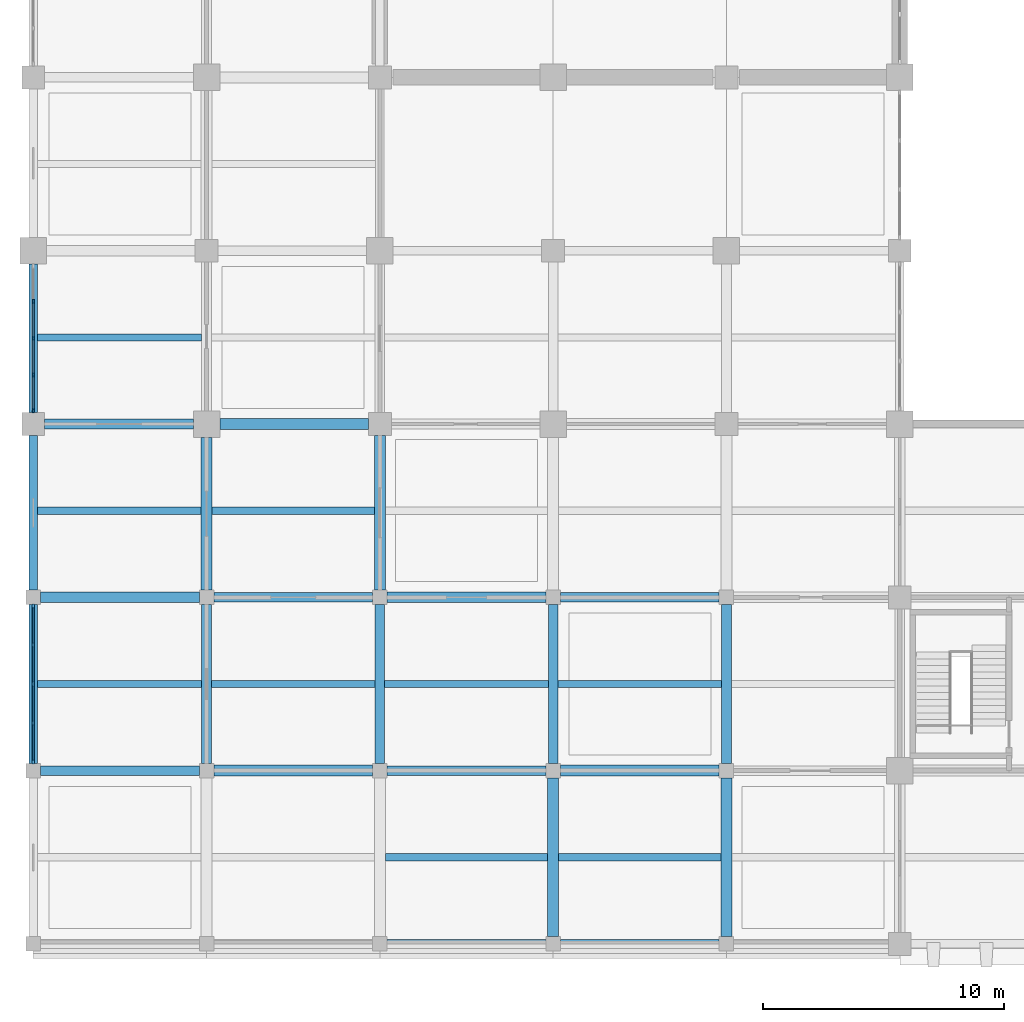
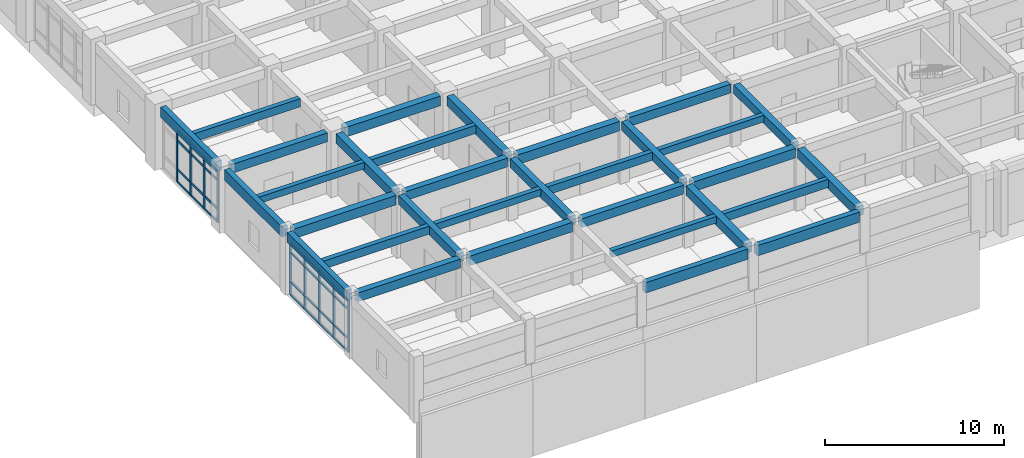
# One storey, part 2 of 81: 37 members, 32 beams, 2 elements without a shape of their own.
"""IFC4 building model written with IfcOpenShell, lengths in metres."""

from ifc_helpers import new_model, si_unit, direction, frame, origin, origin_2d, place, context, subcontext, project, spatial, rectangle, extrude, material, layer, layer_set, material_profile, profile_set, type_object, element, aggregate, save


model = new_model("IFC4")

# Units and contexts
model_context = context("Model", 3, precision=1e-05, world=origin(), true_north=direction((0.0, 1.0)))
body_context = subcontext(model_context, "Body", "Model", "MODEL_VIEW")
ifc_project = project(units=[si_unit("LENGTHUNIT", "METRE"), si_unit("AREAUNIT", "SQUARE_METRE"), si_unit("VOLUMEUNIT", "CUBIC_METRE"), si_unit("PLANEANGLEUNIT", "RADIAN"), si_unit("MASSUNIT", "GRAM", prefix="KILO")], contexts=[model_context])

# Site, building, storey
site_placement = place(None, origin())
site = spatial("IfcSite", under=ifc_project, at=site_placement, CompositionType="ELEMENT")
building_placement = place(site_placement, origin())
building = spatial("IfcBuilding", under=site, at=building_placement, Name="Kavelor Marine Aquarium", CompositionType="ELEMENT")
storey_placement = place(building_placement, frame((0.0, 0.0, 4.679931640625)))
storey = spatial("IfcBuildingStorey", under=building, at=storey_placement, Name="L01", CompositionType="ELEMENT", Elevation=4.679931640625)

# Beams
ifc_material_1 = material(Name="Concrete C40/50", Category="concrete")
ifc_material_profile_1 = material_profile(ifc_material_1, rectangle(XDim=0.449951171875, YDim=0.64990234375, at=origin_2d()), Name="RC-BM 450x650")
ifc_profile_set_1 = profile_set([ifc_material_profile_1], Name="Concrete C40/50")
beam_type_1 = type_object("IfcBeamType", Name="BM-B3", PredefinedType="BEAM", material=ifc_profile_set_1)
for number, where, z_axis, x_axis, name in (
    (1, (3.5, 17.199951171875, 3.93505859375), (1.0, 0.0, 0.0), (0.0, 1.0, 0.0), "bm:x:L01:L02:00_02"),
    (2, (10.699951171875, 10.0, 3.93505859375), (1.0, 0.0, 0.0), (0.0, 1.0, 0.0), "bm:x:L01:L02:01_01"),
):
    element("IfcBeam", number, at=place(storey_placement, frame(where, z_axis=z_axis, x_axis=x_axis)), inside=storey, type_object=beam_type_1, Name=name, PredefinedType="BEAM", context=body_context, shape_type="SweptSolid", body=[
        extrude(rectangle(XDim=0.449951171875, YDim=0.64990234375, at=origin_2d()), origin(), (0.0, 0.0, 1.0), 6.60009765625),
    ])
beam_1_placement = place(storey_placement, frame((10.949951171875, 24.39990234375, 3.875), z_axis=(1.0, 0.0, 0.0), x_axis=(0.0, 1.0, 0.0)))
element("IfcBeam", 3, at=beam_1_placement, inside=storey, type_object=beam_type_1, Name="bm:x:L01:L02:01_03", PredefinedType="BEAM", context=body_context, shape_type="SweptSolid", body=[
    extrude(rectangle(XDim=0.449951171875, YDim=0.64990234375, at=origin_2d()), origin(), (0.0, 0.0, 1.0), 6.175048828125),
])
beam_2_placement = place(storey_placement, frame((17.89990234375, 17.199951171875, 3.93505859375), z_axis=(1.0, 0.0, 0.0), x_axis=(0.0, 1.0, 0.0)))
element("IfcBeam", 4, at=beam_2_placement, inside=storey, type_object=beam_type_1, Name="bm:x:L01:L02:02_02", PredefinedType="BEAM", context=body_context, shape_type="SweptSolid", body=[
    extrude(rectangle(XDim=0.449951171875, YDim=0.64990234375, at=origin_2d()), origin(), (0.0, 0.0, 1.0), 6.60009765625),
])
beam_3_placement = place(storey_placement, frame((25.10009765625, 10.0, 3.93505859375), z_axis=(1.0, 0.0, 0.0), x_axis=(0.0, 1.0, 0.0)))
element("IfcBeam", 5, at=beam_3_placement, inside=storey, type_object=beam_type_1, Name="bm:x:L01:L02:03_01", PredefinedType="BEAM", context=body_context, shape_type="SweptSolid", body=[
    extrude(rectangle(XDim=0.449951171875, YDim=0.64990234375, at=origin_2d()), origin(), (0.0, 0.0, 1.0), 6.599853515625),
])
beam_4_placement = place(storey_placement, frame((10.39990234375, 17.5, 3.93505859375), z_axis=(0.0, 1.0, 0.0), x_axis=(-1.0, 0.0, 0.0)))
element("IfcBeam", 6, at=beam_4_placement, inside=storey, type_object=beam_type_1, Name="bm:y:L01:L02:01_02", PredefinedType="BEAM", context=body_context, shape_type="SweptSolid", body=[
    extrude(rectangle(XDim=0.449951171875, YDim=0.64990234375, at=origin_2d()), origin(), (0.0, 0.0, 1.0), 6.35009765625),
])
beam_5_placement = place(storey_placement, frame((17.60009765625, 17.5, 3.93505859375), z_axis=(0.0, 1.0, 0.0), x_axis=(-1.0, 0.0, 0.0)))
element("IfcBeam", 7, at=beam_5_placement, inside=storey, type_object=beam_type_1, Name="bm:y:L01:L02:02_02", PredefinedType="BEAM", context=body_context, shape_type="SweptSolid", body=[
    extrude(rectangle(XDim=0.449951171875, YDim=0.64990234375, at=origin_2d()), origin(), (0.0, 0.0, 1.0), 6.425048828125),
])
for number, where, z_axis, x_axis, name in (
    (8, (24.800048828125, 3.10009765625, 3.93505859375), (0.0, 1.0, 0.0), (-1.0, 0.0, 0.0), "bm:y:L01:L02:03_00"),
    (9, (32.0, 3.10009765625, 3.93505859375), (0.0, 1.0, 0.0), (-1.0, 0.0, 0.0), "bm:y:L01:L02:04_00"),
):
    element("IfcBeam", number, at=place(storey_placement, frame(where, z_axis=z_axis, x_axis=x_axis)), inside=storey, type_object=beam_type_1, Name=name, PredefinedType="BEAM", context=body_context, shape_type="SweptSolid", body=[
        extrude(rectangle(XDim=0.449951171875, YDim=0.64990234375, at=origin_2d()), origin(), (0.0, 0.0, 1.0), 6.599853515625),
    ])
ifc_material_2 = material(Name="Concrete C40/50", Category="concrete")
ifc_material_profile_2 = material_profile(ifc_material_2, rectangle(XDim=0.39990234375, YDim=0.60009765625, at=origin_2d()), Name="RC-BM 400x600")
ifc_profile_set_2 = profile_set([ifc_material_profile_2], Name="Concrete C40/50")
beam_type_2 = type_object("IfcBeamType", Name="BM-B4", PredefinedType="BEAM", material=ifc_profile_set_2)
beam_6_placement = place(storey_placement, frame((3.5, 10.0, 3.9599609375), z_axis=(1.0, 0.0, 0.0), x_axis=(0.0, 1.0, 0.0)))
element("IfcBeam", 10, at=beam_6_placement, inside=storey, type_object=beam_type_2, Name="bm:x:L01:L02:00_01", PredefinedType="BEAM", context=body_context, shape_type="SweptSolid", body=[
    extrude(rectangle(XDim=0.39990234375, YDim=0.60009765625, at=origin_2d()), origin(), (0.0, 0.0, 1.0), 6.60009765625),
])
beam_7_placement = place(storey_placement, frame((3.675048828125, 24.39990234375, 3.920166015625), z_axis=(1.0, 0.0, 0.0), x_axis=(0.0, 1.0, 0.0)))
element("IfcBeam", 11, at=beam_7_placement, inside=storey, type_object=beam_type_2, Name="bm:x:L01:L02:00_03", PredefinedType="BEAM", context=body_context, shape_type="SweptSolid", body=[
    extrude(rectangle(XDim=0.39990234375, YDim=0.60009765625, at=origin_2d()), origin(), (0.0, 0.0, 1.0), 6.175048828125),
])
for number, where, z_axis, x_axis, name in (
    (12, (10.699951171875, 17.199951171875, 3.9599609375), (1.0, 0.0, 0.0), (0.0, 1.0, 0.0), "bm:x:L01:L02:01_02"),
    (13, (17.89990234375, 10.0, 3.9599609375), (1.0, 0.0, 0.0), (0.0, 1.0, 0.0), "bm:x:L01:L02:02_01"),
):
    element("IfcBeam", number, at=place(storey_placement, frame(where, z_axis=z_axis, x_axis=x_axis)), inside=storey, type_object=beam_type_2, Name=name, PredefinedType="BEAM", context=body_context, shape_type="SweptSolid", body=[
        extrude(rectangle(XDim=0.39990234375, YDim=0.60009765625, at=origin_2d()), origin(), (0.0, 0.0, 1.0), 6.60009765625),
    ])
for number, where, z_axis, x_axis, name in (
    (14, (25.10009765625, 17.199951171875, 3.9599609375), (1.0, 0.0, 0.0), (0.0, 1.0, 0.0), "bm:x:L01:L02:03_02"),
    (15, (10.39990234375, 10.300048828125, 3.9599609375), (0.0, 1.0, 0.0), (-1.0, 0.0, 0.0), "bm:y:L01:L02:01_01"),
    (16, (17.60009765625, 10.300048828125, 3.9599609375), (0.0, 1.0, 0.0), (-1.0, 0.0, 0.0), "bm:y:L01:L02:02_01"),
    (17, (24.800048828125, 10.300048828125, 3.9599609375), (0.0, 1.0, 0.0), (-1.0, 0.0, 0.0), "bm:y:L01:L02:03_01"),
    (18, (32.0, 10.300048828125, 3.9599609375), (0.0, 1.0, 0.0), (-1.0, 0.0, 0.0), "bm:y:L01:L02:04_01"),
):
    element("IfcBeam", number, at=place(storey_placement, frame(where, z_axis=z_axis, x_axis=x_axis)), inside=storey, type_object=beam_type_2, Name=name, PredefinedType="BEAM", context=body_context, shape_type="SweptSolid", body=[
        extrude(rectangle(XDim=0.39990234375, YDim=0.60009765625, at=origin_2d()), origin(), (0.0, 0.0, 1.0), 6.599853515625),
    ])
ifc_material_3 = material(Name="Concrete C40/50", Category="concrete")
ifc_material_profile_3 = material_profile(ifc_material_3, rectangle(XDim=0.300048828125, YDim=0.449951171875, at=origin_2d()), Name="RC-JS 300x450")
ifc_profile_set_3 = profile_set([ifc_material_profile_3], Name="Concrete C40/50")
beam_type_3 = type_object("IfcBeamType", Name="BM-JS1", PredefinedType="JOIST", material=ifc_profile_set_3)
beam_8_placement = place(storey_placement, frame((3.375, 20.800048828125, 4.03515625), z_axis=(1.0, 0.0, 0.0), x_axis=(0.0, 1.0, 0.0)))
element("IfcBeam", 19, at=beam_8_placement, inside=storey, type_object=beam_type_3, Name="js:L01:L02:00_02", PredefinedType="JOIST", context=body_context, shape_type="SweptSolid", body=[
    extrude(rectangle(XDim=0.300048828125, YDim=0.449951171875, at=origin_2d()), origin(), (0.0, 0.0, 1.0), 6.800048828125),
])
beam_9_placement = place(storey_placement, frame((10.60009765625, 13.60009765625, 4.03515625), z_axis=(1.0, 0.0, 0.0), x_axis=(0.0, 1.0, 0.0)))
element("IfcBeam", 20, at=beam_9_placement, inside=storey, type_object=beam_type_3, Name="js:L01:L02:01_01", PredefinedType="JOIST", context=body_context, shape_type="SweptSolid", body=[
    extrude(rectangle(XDim=0.300048828125, YDim=0.449951171875, at=origin_2d()), origin(), (0.0, 0.0, 1.0), 6.7998046875),
])
beam_10_placement = place(storey_placement, frame((17.824951171875, 6.39990234375, 4.03515625), z_axis=(1.0, 0.0, 0.0), x_axis=(0.0, 1.0, 0.0)))
element("IfcBeam", 21, at=beam_10_placement, inside=storey, type_object=beam_type_3, Name="js:L01:L02:02_00", PredefinedType="JOIST", context=body_context, shape_type="SweptSolid", body=[
    extrude(rectangle(XDim=0.300048828125, YDim=0.449951171875, at=origin_2d()), origin(), (0.0, 0.0, 1.0), 6.75),
])
beam_11_placement = place(storey_placement, frame((25.0, 13.60009765625, 4.03515625), z_axis=(1.0, 0.0, 0.0), x_axis=(0.0, 1.0, 0.0)))
element("IfcBeam", 22, at=beam_11_placement, inside=storey, type_object=beam_type_3, Name="js:L01:L02:03_01", PredefinedType="JOIST", context=body_context, shape_type="SweptSolid", body=[
    extrude(rectangle(XDim=0.300048828125, YDim=0.449951171875, at=origin_2d()), origin(), (0.0, 0.0, 1.0), 6.800048828125),
])
ifc_material_4 = material(Name="Concrete C40/50", Category="concrete")
ifc_material_profile_4 = material_profile(ifc_material_4, rectangle(XDim=0.300048828125, YDim=0.550048828125, at=origin_2d()), Name="RC-JS 300x550")
ifc_profile_set_4 = profile_set([ifc_material_profile_4], Name="Concrete C40/50")
beam_type_4 = type_object("IfcBeamType", Name="BM-JS2", PredefinedType="JOIST", material=ifc_profile_set_4)
for number, where, z_axis, x_axis, name in (
    (23, (3.375, 13.60009765625, 3.985107421875), (1.0, 0.0, 0.0), (0.0, 1.0, 0.0), "js:L01:L02:00_01"),
    (24, (3.375, 28.0, 3.945068359375), (1.0, 0.0, 0.0), (0.0, 1.0, 0.0), "js:L01:L02:00_03"),
):
    element("IfcBeam", number, at=place(storey_placement, frame(where, z_axis=z_axis, x_axis=x_axis)), inside=storey, type_object=beam_type_4, Name=name, PredefinedType="JOIST", context=body_context, shape_type="SweptSolid", body=[
        extrude(rectangle(XDim=0.300048828125, YDim=0.550048828125, at=origin_2d()), origin(), (0.0, 0.0, 1.0), 6.824951171875),
    ])
beam_12_placement = place(storey_placement, frame((10.625, 20.800048828125, 3.985107421875), z_axis=(1.0, 0.0, 0.0), x_axis=(0.0, 1.0, 0.0)))
element("IfcBeam", 25, at=beam_12_placement, inside=storey, type_object=beam_type_4, Name="js:L01:L02:01_02", PredefinedType="JOIST", context=body_context, shape_type="SweptSolid", body=[
    extrude(rectangle(XDim=0.300048828125, YDim=0.550048828125, at=origin_2d()), origin(), (0.0, 0.0, 1.0), 6.75),
])
beam_13_placement = place(storey_placement, frame((17.800048828125, 13.60009765625, 3.985107421875), z_axis=(1.0, 0.0, 0.0), x_axis=(0.0, 1.0, 0.0)))
element("IfcBeam", 26, at=beam_13_placement, inside=storey, type_object=beam_type_4, Name="js:L01:L02:02_01", PredefinedType="JOIST", context=body_context, shape_type="SweptSolid", body=[
    extrude(rectangle(XDim=0.300048828125, YDim=0.550048828125, at=origin_2d()), origin(), (0.0, 0.0, 1.0), 6.800048828125),
])
beam_14_placement = place(storey_placement, frame((25.02490234375, 6.39990234375, 3.985107421875), z_axis=(1.0, 0.0, 0.0), x_axis=(0.0, 1.0, 0.0)))
element("IfcBeam", 27, at=beam_14_placement, inside=storey, type_object=beam_type_4, Name="js:L01:L02:03_00", PredefinedType="JOIST", context=body_context, shape_type="SweptSolid", body=[
    extrude(rectangle(XDim=0.300048828125, YDim=0.550048828125, at=origin_2d()), origin(), (0.0, 0.0, 1.0), 6.75),
])
ifc_material_5 = material(Name="Concrete C40/50", Category="concrete")
ifc_material_profile_5 = material_profile(ifc_material_5, rectangle(XDim=0.35009765625, YDim=0.699951171875, at=origin_2d()), Name="RC-SP 350x700")
ifc_profile_set_5 = profile_set([ifc_material_profile_5], Name="Concrete C40/50")
beam_type_5 = type_object("IfcBeamType", Name="BM-SP1", PredefinedType="SPANDREL", material=ifc_profile_set_5)
beam_15_placement = place(storey_placement, frame((17.89990234375, 2.800048828125, 3.91015625), z_axis=(1.0, 0.0, 0.0), x_axis=(0.0, 1.0, 0.0)))
element("IfcBeam", 28, at=beam_15_placement, inside=storey, type_object=beam_type_5, Name="bm:x:L01:L02:02_00", PredefinedType="SPANDREL", context=body_context, shape_type="SweptSolid", body=[
    extrude(rectangle(XDim=0.35009765625, YDim=0.699951171875, at=origin_2d()), origin(), (0.0, 0.0, 1.0), 6.60009765625),
])
for number, where, z_axis, x_axis, name in (
    (29, (25.10009765625, 2.800048828125, 3.91015625), (1.0, 0.0, 0.0), (0.0, 1.0, 0.0), "bm:x:L01:L02:03_00"),
    (30, (3.199951171875, 10.300048828125, 3.91015625), (0.0, 1.0, 0.0), (-1.0, 0.0, 0.0), "bm:y:L01:L02:00_01"),
):
    element("IfcBeam", number, at=place(storey_placement, frame(where, z_axis=z_axis, x_axis=x_axis)), inside=storey, type_object=beam_type_5, Name=name, PredefinedType="SPANDREL", context=body_context, shape_type="SweptSolid", body=[
        extrude(rectangle(XDim=0.35009765625, YDim=0.699951171875, at=origin_2d()), origin(), (0.0, 0.0, 1.0), 6.599853515625),
    ])
beam_16_placement = place(storey_placement, frame((3.199951171875, 17.5, 3.91015625), z_axis=(0.0, 1.0, 0.0), x_axis=(-1.0, 0.0, 0.0)))
element("IfcBeam", 31, at=beam_16_placement, inside=storey, type_object=beam_type_5, Name="bm:y:L01:L02:00_02", PredefinedType="SPANDREL", context=body_context, shape_type="SweptSolid", body=[
    extrude(rectangle(XDim=0.35009765625, YDim=0.699951171875, at=origin_2d()), origin(), (0.0, 0.0, 1.0), 6.425048828125),
])
beam_17_placement = place(storey_placement, frame((3.199951171875, 24.875, 3.8701171875), z_axis=(0.0, 1.0, 0.0), x_axis=(-1.0, 0.0, 0.0)))
element("IfcBeam", 32, at=beam_17_placement, inside=storey, type_object=beam_type_5, Name="bm:y:L01:L02:00_03", PredefinedType="SPANDREL", context=body_context, shape_type="SweptSolid", body=[
    extrude(rectangle(XDim=0.35009765625, YDim=0.699951171875, at=origin_2d()), origin(), (0.0, 0.0, 1.0), 6.175048828125),
])

# Curtain wall, members
ifc_material_6 = material(Name="Thermally Broken Aluminium and Low-E Glass", Category="aluminium")
ifc_layer_1 = layer(ifc_material_6, 0.243896484375)
ifc_layer_set_1 = layer_set([ifc_layer_1], Name="CW-SYS13")
curtain_wall_type_1 = type_object("IfcCurtainWallType", Name="CW-SYS13", PredefinedType="USERDEFINED", material=ifc_layer_set_1)
curtain_wall_1_placement = place(storey_placement, origin())
curtain_wall_1 = element("IfcCurtainWall", 33, at=curtain_wall_1_placement, inside=storey, type_object=curtain_wall_type_1, Name="cw:y:L01:00_03", ObjectType="Curtain Wall", PredefinedType="USERDEFINED")
ifc_material_7 = material(Name="Anodised Aluminium Alloy 6063-T6", Category="aluminium")
ifc_material_profile_6 = material_profile(ifc_material_7, rectangle(XDim=0.074951171875, YDim=0.179931640625, at=origin_2d()), Name="CW-MUL 75x180")
ifc_profile_set_6 = profile_set([ifc_material_profile_6], Name="Anodised Aluminium Alloy 6063-T6")
member_type_1 = type_object("IfcMemberType", Name="CWM-1", PredefinedType="MULLION", material=ifc_profile_set_6)
member_1_placement = place(storey_placement, frame((3.199951171875, 29.483642578125, 0.0), z_axis=(0.0, 0.0, 1.0), x_axis=(1.0, 0.0, 0.0)))
member_1 = element("IfcMember", 34, at=member_1_placement, type_object=member_type_1, Name="CW13 mullion 2", PredefinedType="MULLION", context=body_context, shape_type="SweptSolid", body=[
    extrude(rectangle(XDim=0.074951171875, YDim=0.179931640625, at=origin_2d()), origin(), (0.0, 0.0, 1.0), 3.510009765625),
])
member_2_placement = place(storey_placement, frame((3.199951171875, 27.96240234375, 0.0), z_axis=(0.0, 0.0, 1.0), x_axis=(1.0, 0.0, 0.0)))
member_2 = element("IfcMember", 35, at=member_2_placement, type_object=member_type_1, Name="CW13 mullion 3", PredefinedType="MULLION", context=body_context, shape_type="SweptSolid", body=[
    extrude(rectangle(XDim=0.074951171875, YDim=0.179931640625, at=origin_2d()), origin(), (0.0, 0.0, 1.0), 3.510009765625),
])
member_3_placement = place(storey_placement, frame((3.199951171875, 26.441162109375, 0.0), z_axis=(0.0, 0.0, 1.0), x_axis=(1.0, 0.0, 0.0)))
member_3 = element("IfcMember", 36, at=member_3_placement, type_object=member_type_1, Name="CW13 mullion 4", PredefinedType="MULLION", context=body_context, shape_type="SweptSolid", body=[
    extrude(rectangle(XDim=0.074951171875, YDim=0.179931640625, at=origin_2d()), origin(), (0.0, 0.0, 1.0), 3.510009765625),
])
member_4_placement = place(storey_placement, frame((3.199951171875, 24.95751953125, 0.0), z_axis=(0.0, 0.0, 1.0), x_axis=(1.0, 0.0, 0.0)))
member_4 = element("IfcMember", 37, at=member_4_placement, type_object=member_type_1, Name="CW13 mullion 5", PredefinedType="MULLION", context=body_context, shape_type="SweptSolid", body=[
    extrude(rectangle(XDim=0.074951171875, YDim=0.179931640625, at=origin_2d()), origin(), (0.0, 0.0, 1.0), 3.510009765625),
])

ifc_material_8 = material(Name="Thermally Broken Aluminium and Low-E Glass", Category="aluminium")
ifc_layer_2 = layer(ifc_material_8, 0.236083984375)
ifc_layer_set_2 = layer_set([ifc_layer_2], Name="CW-SYS12")
curtain_wall_type_2 = type_object("IfcCurtainWallType", Name="CW-SYS12", PredefinedType="USERDEFINED", material=ifc_layer_set_2)
curtain_wall_2_placement = place(storey_placement, origin())
curtain_wall_2 = element("IfcCurtainWall", 38, at=curtain_wall_2_placement, inside=storey, type_object=curtain_wall_type_2, Name="cw:y:L01:00_01", ObjectType="Curtain Wall", PredefinedType="USERDEFINED")
ifc_material_9 = material(Name="Anodised Aluminium Alloy 6063-T6", Category="aluminium")
ifc_material_profile_7 = material_profile(ifc_material_9, rectangle(XDim=0.0849609375, YDim=0.18994140625, at=origin_2d()), Name="CW-MUL 85x190")
ifc_profile_set_7 = profile_set([ifc_material_profile_7], Name="Anodised Aluminium Alloy 6063-T6")
member_type_2 = type_object("IfcMemberType", Name="CWM-3", PredefinedType="MULLION", material=ifc_profile_set_7)
member_5_placement = place(storey_placement, frame((3.199951171875, 16.824951171875, 0.0), z_axis=(0.0, 0.0, 1.0), x_axis=(1.0, 0.0, 0.0)))
member_5 = element("IfcMember", 39, at=member_5_placement, type_object=member_type_2, Name="CW12 mullion 1", PredefinedType="MULLION", context=body_context, shape_type="SweptSolid", body=[
    extrude(rectangle(XDim=0.0849609375, YDim=0.18994140625, at=origin_2d()), origin(), (0.0, 0.0, 1.0), 3.550048828125),
])
member_6_placement = place(storey_placement, frame((3.199951171875, 15.2275390625, 0.0), z_axis=(0.0, 0.0, 1.0), x_axis=(1.0, 0.0, 0.0)))
member_6 = element("IfcMember", 40, at=member_6_placement, type_object=member_type_2, Name="CW12 mullion 2", PredefinedType="MULLION", context=body_context, shape_type="SweptSolid", body=[
    extrude(rectangle(XDim=0.0849609375, YDim=0.18994140625, at=origin_2d()), origin(), (0.0, 0.0, 1.0), 3.550048828125),
])
member_7_placement = place(storey_placement, frame((3.199951171875, 13.60009765625, 0.0), z_axis=(0.0, 0.0, 1.0), x_axis=(1.0, 0.0, 0.0)))
member_7 = element("IfcMember", 41, at=member_7_placement, type_object=member_type_2, Name="CW12 mullion 3", PredefinedType="MULLION", context=body_context, shape_type="SweptSolid", body=[
    extrude(rectangle(XDim=0.0849609375, YDim=0.18994140625, at=origin_2d()), origin(), (0.0, 0.0, 1.0), 3.550048828125),
])
member_8_placement = place(storey_placement, frame((3.199951171875, 11.972412109375, 0.0), z_axis=(0.0, 0.0, 1.0), x_axis=(1.0, 0.0, 0.0)))
member_8 = element("IfcMember", 42, at=member_8_placement, type_object=member_type_2, Name="CW12 mullion 4", PredefinedType="MULLION", context=body_context, shape_type="SweptSolid", body=[
    extrude(rectangle(XDim=0.0849609375, YDim=0.18994140625, at=origin_2d()), origin(), (0.0, 0.0, 1.0), 3.550048828125),
])
member_9_placement = place(storey_placement, frame((3.199951171875, 10.375, 0.0), z_axis=(0.0, 0.0, 1.0), x_axis=(1.0, 0.0, 0.0)))
member_9 = element("IfcMember", 43, at=member_9_placement, type_object=member_type_2, Name="CW12 mullion 5", PredefinedType="MULLION", context=body_context, shape_type="SweptSolid", body=[
    extrude(rectangle(XDim=0.0849609375, YDim=0.18994140625, at=origin_2d()), origin(), (0.0, 0.0, 1.0), 3.550048828125),
])
ifc_material_10 = material(Name="Anodised Aluminium Alloy 6063-T6", Category="aluminium")
ifc_material_profile_8 = material_profile(ifc_material_10, rectangle(XDim=0.074951171875, YDim=0.14990234375, at=origin_2d()), Name="CW-TRN 75x150")
ifc_profile_set_8 = profile_set([ifc_material_profile_8], Name="Anodised Aluminium Alloy 6063-T6")
member_type_3 = type_object("IfcMemberType", Name="CWT-1", PredefinedType="USERDEFINED", material=ifc_profile_set_8)
member_10_placement = place(storey_placement, frame((3.199951171875, 16.794921875, 0.03759765625), z_axis=(0.0, -1.0, 0.0), x_axis=(1.0, 0.0, 0.0)))
member_10 = element("IfcMember", 44, at=member_10_placement, type_object=member_type_3, Name="CW12 transom 1.1", ObjectType="TRANSOM", PredefinedType="USERDEFINED", context=body_context, shape_type="SweptSolid", body=[
    extrude(rectangle(XDim=0.074951171875, YDim=0.14990234375, at=origin_2d()), origin(), (0.0, 0.0, 1.0), 1.537353515625),
])
member_11_placement = place(storey_placement, frame((3.199951171875, 16.794921875, 0.900146484375), z_axis=(0.0, -1.0, 0.0), x_axis=(1.0, 0.0, 0.0)))
member_11 = element("IfcMember", 45, at=member_11_placement, type_object=member_type_3, Name="CW12 transom 1.2", ObjectType="TRANSOM", PredefinedType="USERDEFINED", context=body_context, shape_type="SweptSolid", body=[
    extrude(rectangle(XDim=0.074951171875, YDim=0.14990234375, at=origin_2d()), origin(), (0.0, 0.0, 1.0), 1.537353515625),
])
member_12_placement = place(storey_placement, frame((3.199951171875, 16.794921875, 2.900146484375), z_axis=(0.0, -1.0, 0.0), x_axis=(1.0, 0.0, 0.0)))
member_12 = element("IfcMember", 46, at=member_12_placement, type_object=member_type_3, Name="CW12 transom 1.3", ObjectType="TRANSOM", PredefinedType="USERDEFINED", context=body_context, shape_type="SweptSolid", body=[
    extrude(rectangle(XDim=0.074951171875, YDim=0.14990234375, at=origin_2d()), origin(), (0.0, 0.0, 1.0), 1.537353515625),
])
member_13_placement = place(storey_placement, frame((3.199951171875, 16.794921875, 3.512451171875), z_axis=(0.0, -1.0, 0.0), x_axis=(1.0, 0.0, 0.0)))
member_13 = element("IfcMember", 47, at=member_13_placement, type_object=member_type_3, Name="CW12 transom 1.4", ObjectType="TRANSOM", PredefinedType="USERDEFINED", context=body_context, shape_type="SweptSolid", body=[
    extrude(rectangle(XDim=0.074951171875, YDim=0.14990234375, at=origin_2d()), origin(), (0.0, 0.0, 1.0), 1.537353515625),
])
member_14_placement = place(storey_placement, frame((3.199951171875, 15.197509765625, 0.03759765625), z_axis=(0.0, -1.0, 0.0), x_axis=(1.0, 0.0, 0.0)))
member_14 = element("IfcMember", 48, at=member_14_placement, type_object=member_type_3, Name="CW12 transom 2.1", ObjectType="TRANSOM", PredefinedType="USERDEFINED", context=body_context, shape_type="SweptSolid", body=[
    extrude(rectangle(XDim=0.074951171875, YDim=0.14990234375, at=origin_2d()), origin(), (0.0, 0.0, 1.0), 1.567626953125),
])
member_15_placement = place(storey_placement, frame((3.199951171875, 15.197509765625, 0.900146484375), z_axis=(0.0, -1.0, 0.0), x_axis=(1.0, 0.0, 0.0)))
member_15 = element("IfcMember", 49, at=member_15_placement, type_object=member_type_3, Name="CW12 transom 2.2", ObjectType="TRANSOM", PredefinedType="USERDEFINED", context=body_context, shape_type="SweptSolid", body=[
    extrude(rectangle(XDim=0.074951171875, YDim=0.14990234375, at=origin_2d()), origin(), (0.0, 0.0, 1.0), 1.567626953125),
])
member_16_placement = place(storey_placement, frame((3.199951171875, 15.197509765625, 2.900146484375), z_axis=(0.0, -1.0, 0.0), x_axis=(1.0, 0.0, 0.0)))
member_16 = element("IfcMember", 50, at=member_16_placement, type_object=member_type_3, Name="CW12 transom 2.3", ObjectType="TRANSOM", PredefinedType="USERDEFINED", context=body_context, shape_type="SweptSolid", body=[
    extrude(rectangle(XDim=0.074951171875, YDim=0.14990234375, at=origin_2d()), origin(), (0.0, 0.0, 1.0), 1.567626953125),
])
member_17_placement = place(storey_placement, frame((3.199951171875, 15.197509765625, 3.512451171875), z_axis=(0.0, -1.0, 0.0), x_axis=(1.0, 0.0, 0.0)))
member_17 = element("IfcMember", 51, at=member_17_placement, type_object=member_type_3, Name="CW12 transom 2.4", ObjectType="TRANSOM", PredefinedType="USERDEFINED", context=body_context, shape_type="SweptSolid", body=[
    extrude(rectangle(XDim=0.074951171875, YDim=0.14990234375, at=origin_2d()), origin(), (0.0, 0.0, 1.0), 1.567626953125),
])
member_18_placement = place(storey_placement, frame((3.199951171875, 13.570068359375, 0.03759765625), z_axis=(0.0, -1.0, 0.0), x_axis=(1.0, 0.0, 0.0)))
member_18 = element("IfcMember", 52, at=member_18_placement, type_object=member_type_3, Name="CW12 transom 3.1", ObjectType="TRANSOM", PredefinedType="USERDEFINED", context=body_context, shape_type="SweptSolid", body=[
    extrude(rectangle(XDim=0.074951171875, YDim=0.14990234375, at=origin_2d()), origin(), (0.0, 0.0, 1.0), 1.567626953125),
])
member_19_placement = place(storey_placement, frame((3.199951171875, 13.570068359375, 0.900146484375), z_axis=(0.0, -1.0, 0.0), x_axis=(1.0, 0.0, 0.0)))
member_19 = element("IfcMember", 53, at=member_19_placement, type_object=member_type_3, Name="CW12 transom 3.2", ObjectType="TRANSOM", PredefinedType="USERDEFINED", context=body_context, shape_type="SweptSolid", body=[
    extrude(rectangle(XDim=0.074951171875, YDim=0.14990234375, at=origin_2d()), origin(), (0.0, 0.0, 1.0), 1.567626953125),
])
member_20_placement = place(storey_placement, frame((3.199951171875, 13.570068359375, 2.900146484375), z_axis=(0.0, -1.0, 0.0), x_axis=(1.0, 0.0, 0.0)))
member_20 = element("IfcMember", 54, at=member_20_placement, type_object=member_type_3, Name="CW12 transom 3.3", ObjectType="TRANSOM", PredefinedType="USERDEFINED", context=body_context, shape_type="SweptSolid", body=[
    extrude(rectangle(XDim=0.074951171875, YDim=0.14990234375, at=origin_2d()), origin(), (0.0, 0.0, 1.0), 1.567626953125),
])
member_21_placement = place(storey_placement, frame((3.199951171875, 13.570068359375, 3.512451171875), z_axis=(0.0, -1.0, 0.0), x_axis=(1.0, 0.0, 0.0)))
member_21 = element("IfcMember", 55, at=member_21_placement, type_object=member_type_3, Name="CW12 transom 3.4", ObjectType="TRANSOM", PredefinedType="USERDEFINED", context=body_context, shape_type="SweptSolid", body=[
    extrude(rectangle(XDim=0.074951171875, YDim=0.14990234375, at=origin_2d()), origin(), (0.0, 0.0, 1.0), 1.567626953125),
])
member_22_placement = place(storey_placement, frame((3.199951171875, 11.9423828125, 0.03759765625), z_axis=(0.0, -1.0, 0.0), x_axis=(1.0, 0.0, 0.0)))
member_22 = element("IfcMember", 56, at=member_22_placement, type_object=member_type_3, Name="CW12 transom 4.1", ObjectType="TRANSOM", PredefinedType="USERDEFINED", context=body_context, shape_type="SweptSolid", body=[
    extrude(rectangle(XDim=0.074951171875, YDim=0.14990234375, at=origin_2d()), origin(), (0.0, 0.0, 1.0), 1.537353515625),
])
member_23_placement = place(storey_placement, frame((3.199951171875, 11.9423828125, 0.900146484375), z_axis=(0.0, -1.0, 0.0), x_axis=(1.0, 0.0, 0.0)))
member_23 = element("IfcMember", 57, at=member_23_placement, type_object=member_type_3, Name="CW12 transom 4.2", ObjectType="TRANSOM", PredefinedType="USERDEFINED", context=body_context, shape_type="SweptSolid", body=[
    extrude(rectangle(XDim=0.074951171875, YDim=0.14990234375, at=origin_2d()), origin(), (0.0, 0.0, 1.0), 1.537353515625),
])
member_24_placement = place(storey_placement, frame((3.199951171875, 11.9423828125, 2.900146484375), z_axis=(0.0, -1.0, 0.0), x_axis=(1.0, 0.0, 0.0)))
member_24 = element("IfcMember", 58, at=member_24_placement, type_object=member_type_3, Name="CW12 transom 4.3", ObjectType="TRANSOM", PredefinedType="USERDEFINED", context=body_context, shape_type="SweptSolid", body=[
    extrude(rectangle(XDim=0.074951171875, YDim=0.14990234375, at=origin_2d()), origin(), (0.0, 0.0, 1.0), 1.537353515625),
])
member_25_placement = place(storey_placement, frame((3.199951171875, 11.9423828125, 3.512451171875), z_axis=(0.0, -1.0, 0.0), x_axis=(1.0, 0.0, 0.0)))
member_25 = element("IfcMember", 59, at=member_25_placement, type_object=member_type_3, Name="CW12 transom 4.4", ObjectType="TRANSOM", PredefinedType="USERDEFINED", context=body_context, shape_type="SweptSolid", body=[
    extrude(rectangle(XDim=0.074951171875, YDim=0.14990234375, at=origin_2d()), origin(), (0.0, 0.0, 1.0), 1.537353515625),
])
aggregate(curtain_wall_2, [member_5, member_6, member_7, member_8, member_9, member_10, member_11, member_12, member_13, member_14, member_15, member_16, member_17, member_18, member_19, member_20, member_21, member_22, member_23, member_24, member_25])

# Member
member_26_placement = place(storey_placement, frame((3.199951171875, 29.4462890625, 0.03759765625), z_axis=(0.0, -1.0, 0.0), x_axis=(1.0, 0.0, 0.0)))
member_26 = element("IfcMember", 60, at=member_26_placement, type_object=member_type_3, Name="CW13 transom 2.1", ObjectType="TRANSOM", PredefinedType="USERDEFINED", context=body_context, shape_type="SweptSolid", body=[
    extrude(rectangle(XDim=0.074951171875, YDim=0.14990234375, at=origin_2d()), origin(), (0.0, 0.0, 1.0), 1.4462890625),
])

member_27_placement = place(storey_placement, frame((3.199951171875, 29.4462890625, 0.900146484375), z_axis=(0.0, -1.0, 0.0), x_axis=(1.0, 0.0, 0.0)))
member_27 = element("IfcMember", 61, at=member_27_placement, type_object=member_type_3, Name="CW13 transom 2.2", ObjectType="TRANSOM", PredefinedType="USERDEFINED", context=body_context, shape_type="SweptSolid", body=[
    extrude(rectangle(XDim=0.074951171875, YDim=0.14990234375, at=origin_2d()), origin(), (0.0, 0.0, 1.0), 1.4462890625),
])

member_28_placement = place(storey_placement, frame((3.199951171875, 29.4462890625, 2.860107421875), z_axis=(0.0, -1.0, 0.0), x_axis=(1.0, 0.0, 0.0)))
member_28 = element("IfcMember", 62, at=member_28_placement, type_object=member_type_3, Name="CW13 transom 2.3", ObjectType="TRANSOM", PredefinedType="USERDEFINED", context=body_context, shape_type="SweptSolid", body=[
    extrude(rectangle(XDim=0.074951171875, YDim=0.14990234375, at=origin_2d()), origin(), (0.0, 0.0, 1.0), 1.4462890625),
])

member_29_placement = place(storey_placement, frame((3.199951171875, 29.4462890625, 3.47265625), z_axis=(0.0, -1.0, 0.0), x_axis=(1.0, 0.0, 0.0)))
member_29 = element("IfcMember", 63, at=member_29_placement, type_object=member_type_3, Name="CW13 transom 2.4", ObjectType="TRANSOM", PredefinedType="USERDEFINED", context=body_context, shape_type="SweptSolid", body=[
    extrude(rectangle(XDim=0.074951171875, YDim=0.14990234375, at=origin_2d()), origin(), (0.0, 0.0, 1.0), 1.4462890625),
])

member_30_placement = place(storey_placement, frame((3.199951171875, 27.925048828125, 0.03759765625), z_axis=(0.0, -1.0, 0.0), x_axis=(1.0, 0.0, 0.0)))
member_30 = element("IfcMember", 64, at=member_30_placement, type_object=member_type_3, Name="CW13 transom 3.1", ObjectType="TRANSOM", PredefinedType="USERDEFINED", context=body_context, shape_type="SweptSolid", body=[
    extrude(rectangle(XDim=0.074951171875, YDim=0.14990234375, at=origin_2d()), origin(), (0.0, 0.0, 1.0), 1.4462890625),
])

member_31_placement = place(storey_placement, frame((3.199951171875, 27.925048828125, 0.900146484375), z_axis=(0.0, -1.0, 0.0), x_axis=(1.0, 0.0, 0.0)))
member_31 = element("IfcMember", 65, at=member_31_placement, type_object=member_type_3, Name="CW13 transom 3.2", ObjectType="TRANSOM", PredefinedType="USERDEFINED", context=body_context, shape_type="SweptSolid", body=[
    extrude(rectangle(XDim=0.074951171875, YDim=0.14990234375, at=origin_2d()), origin(), (0.0, 0.0, 1.0), 1.4462890625),
])

member_32_placement = place(storey_placement, frame((3.199951171875, 27.925048828125, 2.860107421875), z_axis=(0.0, -1.0, 0.0), x_axis=(1.0, 0.0, 0.0)))
member_32 = element("IfcMember", 66, at=member_32_placement, type_object=member_type_3, Name="CW13 transom 3.3", ObjectType="TRANSOM", PredefinedType="USERDEFINED", context=body_context, shape_type="SweptSolid", body=[
    extrude(rectangle(XDim=0.074951171875, YDim=0.14990234375, at=origin_2d()), origin(), (0.0, 0.0, 1.0), 1.4462890625),
])

member_33_placement = place(storey_placement, frame((3.199951171875, 27.925048828125, 3.47265625), z_axis=(0.0, -1.0, 0.0), x_axis=(1.0, 0.0, 0.0)))
member_33 = element("IfcMember", 67, at=member_33_placement, type_object=member_type_3, Name="CW13 transom 3.4", ObjectType="TRANSOM", PredefinedType="USERDEFINED", context=body_context, shape_type="SweptSolid", body=[
    extrude(rectangle(XDim=0.074951171875, YDim=0.14990234375, at=origin_2d()), origin(), (0.0, 0.0, 1.0), 1.4462890625),
])

member_34_placement = place(storey_placement, frame((3.199951171875, 26.40380859375, 0.03759765625), z_axis=(0.0, -1.0, 0.0), x_axis=(1.0, 0.0, 0.0)))
member_34 = element("IfcMember", 68, at=member_34_placement, type_object=member_type_3, Name="CW13 transom 4.1", ObjectType="TRANSOM", PredefinedType="USERDEFINED", context=body_context, shape_type="SweptSolid", body=[
    extrude(rectangle(XDim=0.074951171875, YDim=0.14990234375, at=origin_2d()), origin(), (0.0, 0.0, 1.0), 1.40869140625),
])

member_35_placement = place(storey_placement, frame((3.199951171875, 26.40380859375, 0.900146484375), z_axis=(0.0, -1.0, 0.0), x_axis=(1.0, 0.0, 0.0)))
member_35 = element("IfcMember", 69, at=member_35_placement, type_object=member_type_3, Name="CW13 transom 4.2", ObjectType="TRANSOM", PredefinedType="USERDEFINED", context=body_context, shape_type="SweptSolid", body=[
    extrude(rectangle(XDim=0.074951171875, YDim=0.14990234375, at=origin_2d()), origin(), (0.0, 0.0, 1.0), 1.40869140625),
])

member_36_placement = place(storey_placement, frame((3.199951171875, 26.40380859375, 2.860107421875), z_axis=(0.0, -1.0, 0.0), x_axis=(1.0, 0.0, 0.0)))
member_36 = element("IfcMember", 70, at=member_36_placement, type_object=member_type_3, Name="CW13 transom 4.3", ObjectType="TRANSOM", PredefinedType="USERDEFINED", context=body_context, shape_type="SweptSolid", body=[
    extrude(rectangle(XDim=0.074951171875, YDim=0.14990234375, at=origin_2d()), origin(), (0.0, 0.0, 1.0), 1.40869140625),
])

member_37_placement = place(storey_placement, frame((3.199951171875, 26.40380859375, 3.47265625), z_axis=(0.0, -1.0, 0.0), x_axis=(1.0, 0.0, 0.0)))
member_37 = element("IfcMember", 71, at=member_37_placement, type_object=member_type_3, Name="CW13 transom 4.4", ObjectType="TRANSOM", PredefinedType="USERDEFINED", context=body_context, shape_type="SweptSolid", body=[
    extrude(rectangle(XDim=0.074951171875, YDim=0.14990234375, at=origin_2d()), origin(), (0.0, 0.0, 1.0), 1.40869140625),
])

aggregate(curtain_wall_1, [member_1, member_2, member_3, member_4, member_26, member_27, member_28, member_29, member_30, member_31, member_32, member_33, member_34, member_35, member_36, member_37])

save(model, "model.ifc")
